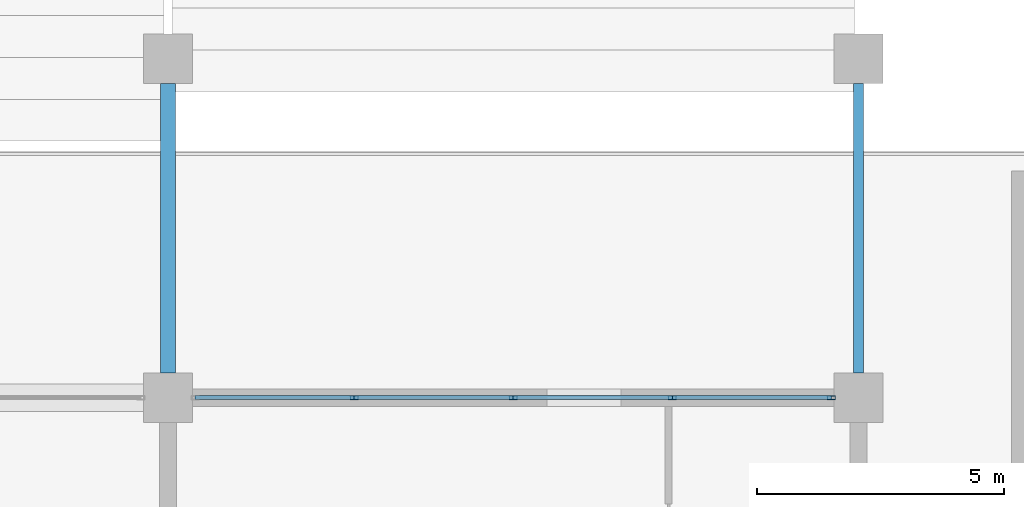
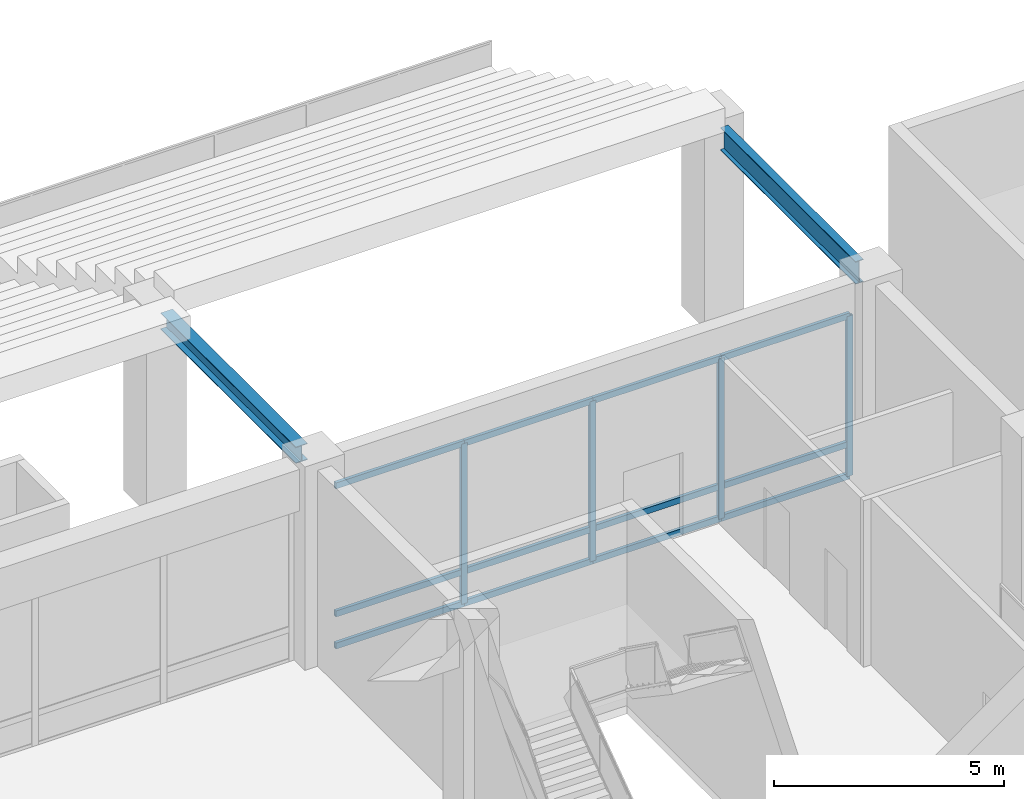
# One storey, part 37 of 117: 16 members, 2 beams, 1 element without a shape of its own.
"""IFC4 building model written with IfcOpenShell, lengths in metres."""

from ifc_helpers import new_model, si_unit, direction, frame, origin, origin_2d, place, context, subcontext, project, spatial, hollow_rectangle, i_section, extrude, material, material_profile, profile_set, type_object, element, aggregate, save


model = new_model("IFC4")

# Units and contexts
model_context = context("Model", 3, precision=1e-05, world=origin(), true_north=direction((0.0, 1.0)))
body_context = subcontext(model_context, "Body", "Model", "MODEL_VIEW")
ifc_project = project(units=[si_unit("LENGTHUNIT", "METRE"), si_unit("AREAUNIT", "SQUARE_METRE"), si_unit("VOLUMEUNIT", "CUBIC_METRE"), si_unit("PLANEANGLEUNIT", "RADIAN"), si_unit("MASSUNIT", "GRAM", prefix="KILO")], contexts=[model_context])

# Site, building, storey
site_placement = place(None, origin())
site = spatial("IfcSite", under=ifc_project, at=site_placement, CompositionType="ELEMENT")
building_placement = place(site_placement, origin())
building = spatial("IfcBuilding", under=site, at=building_placement, Name="Linyun Crest Stadium", CompositionType="ELEMENT")
storey_placement = place(building_placement, frame((0.0, 0.0, 6.0)))
storey = spatial("IfcBuildingStorey", under=building, at=storey_placement, Name="L02", CompositionType="ELEMENT", Elevation=6.0)

# Beams
ifc_material_1 = material(Name="Steel Q355C", Category="steel")
ifc_material_profile_1 = material_profile(ifc_material_1, i_section(OverallWidth=0.300048828125, OverallDepth=0.43994140625, WebThickness=0.010986328125, FlangeThickness=0.01806640625, at=origin_2d()), Name="HM 440x300")
ifc_profile_set_1 = profile_set([ifc_material_profile_1], Name="Steel Q355C")
beam_type_1 = type_object("IfcBeamType", Name="B07", PredefinedType="BEAM", material=ifc_profile_set_1)
beam_1_placement = place(storey_placement, frame((14.0, -73.0, 4.97998046875), z_axis=(0.0, 1.0, 0.0), x_axis=(-1.0, 0.0, 0.0)))
element("IfcBeam", 1, at=beam_1_placement, inside=storey, type_object=beam_type_1, Name="Frame beam B07 L02 920", PredefinedType="BEAM", context=body_context, shape_type="SweptSolid", body=[
    extrude(i_section(OverallWidth=0.300048828125, OverallDepth=0.43994140625, WebThickness=0.010986328125, FlangeThickness=0.01806640625, at=origin_2d()), origin(), (0.0, 0.0, 1.0), 5.875),
])
ifc_material_2 = material(Name="Steel Q355C", Category="steel")
ifc_material_profile_2 = material_profile(ifc_material_2, i_section(OverallWidth=0.199951171875, OverallDepth=0.60009765625, WebThickness=0.010986328125, FlangeThickness=0.01708984375, at=origin_2d()), Name="HN 600x200")
ifc_profile_set_2 = profile_set([ifc_material_profile_2], Name="Steel Q355C")
beam_type_2 = type_object("IfcBeamType", Name="B11", PredefinedType="BEAM", material=ifc_profile_set_2)
beam_2_placement = place(storey_placement, frame((28.0, -73.0, 4.89990234375), z_axis=(0.0, 1.0, 0.0), x_axis=(-1.0, 0.0, 0.0)))
element("IfcBeam", 2, at=beam_2_placement, inside=storey, type_object=beam_type_2, Name="Frame beam B11 L02 922", PredefinedType="BEAM", context=body_context, shape_type="SweptSolid", body=[
    extrude(i_section(OverallWidth=0.199951171875, OverallDepth=0.60009765625, WebThickness=0.010986328125, FlangeThickness=0.01708984375, at=origin_2d()), origin(), (0.0, 0.0, 1.0), 5.875),
])

# Curtain wall, members
ifc_material_3 = material(Name="Verdigris steel and low-E curtain wall assembly", Category="steel")
curtain_wall_type = type_object("IfcCurtainWallType", Name="MCW03", PredefinedType="NOTDEFINED", material=ifc_material_3)
curtain_wall_placement = place(storey_placement, origin())
curtain_wall = element("IfcCurtainWall", 3, at=curtain_wall_placement, inside=storey, type_object=curtain_wall_type, Name="CWR-152", PredefinedType="NOTDEFINED")
ifc_material_4 = material(Name="Aluminium thermally broken mullion", Category="aluminium")
ifc_material_profile_3 = material_profile(ifc_material_4, hollow_rectangle(XDim=0.080078125, YDim=0.159912109375, WallThickness=0.006103515625, at=origin_2d()), Name="RHS 160x80x6")
ifc_profile_set_3 = profile_set([ifc_material_profile_3], Name="Aluminium thermally broken mullion")
member_type_1 = type_object("IfcMemberType", Name="ML01", PredefinedType="MULLION", material=ifc_profile_set_3)
member_1_placement = place(storey_placement, frame((17.77490234375, -73.5, 0.0), z_axis=(0.0, 0.0, 1.0), x_axis=(0.0, 1.0, 0.0)))
member_1 = element("IfcMember", 4, at=member_1_placement, type_object=member_type_1, Name="CWR-152 mullion 2", PredefinedType="MULLION", context=body_context, shape_type="SweptSolid", body=[
    extrude(hollow_rectangle(XDim=0.080078125, YDim=0.159912109375, WallThickness=0.006103515625, at=origin_2d()), origin(), (0.0, 0.0, 1.0), 4.25),
])
member_2_placement = place(storey_placement, frame((21.0, -73.5, 0.0), z_axis=(0.0, 0.0, 1.0), x_axis=(0.0, 1.0, 0.0)))
member_2 = element("IfcMember", 5, at=member_2_placement, type_object=member_type_1, Name="CWR-152 mullion 3", PredefinedType="MULLION", context=body_context, shape_type="SweptSolid", body=[
    extrude(hollow_rectangle(XDim=0.080078125, YDim=0.159912109375, WallThickness=0.006103515625, at=origin_2d()), origin(), (0.0, 0.0, 1.0), 4.25),
])
member_3_placement = place(storey_placement, frame((24.22509765625, -73.5, 0.0), z_axis=(0.0, 0.0, 1.0), x_axis=(0.0, 1.0, 0.0)))
member_3 = element("IfcMember", 6, at=member_3_placement, type_object=member_type_1, Name="CWR-152 mullion 4", PredefinedType="MULLION", context=body_context, shape_type="SweptSolid", body=[
    extrude(hollow_rectangle(XDim=0.080078125, YDim=0.159912109375, WallThickness=0.006103515625, at=origin_2d()), origin(), (0.0, 0.0, 1.0), 4.25),
])
member_4_placement = place(storey_placement, frame((27.449951171875, -73.5, 0.0), z_axis=(0.0, 0.0, 1.0), x_axis=(0.0, 1.0, 0.0)))
member_4 = element("IfcMember", 7, at=member_4_placement, type_object=member_type_1, Name="CWR-152 mullion 5", PredefinedType="MULLION", context=body_context, shape_type="SweptSolid", body=[
    extrude(hollow_rectangle(XDim=0.080078125, YDim=0.159912109375, WallThickness=0.006103515625, at=origin_2d()), origin(), (0.0, 0.0, 1.0), 4.25),
])
ifc_material_5 = material(Name="Aluminium thermally broken transom", Category="aluminium")
ifc_material_profile_4 = material_profile(ifc_material_5, hollow_rectangle(XDim=0.080078125, YDim=0.159912109375, WallThickness=0.006103515625, at=origin_2d()), Name="RHS 160x80x6")
ifc_profile_set_4 = profile_set([ifc_material_profile_4], Name="Aluminium thermally broken transom")
member_type_2 = type_object("IfcMemberType", Name="TR01", PredefinedType="USERDEFINED", material=ifc_profile_set_4)
member_5_placement = place(storey_placement, frame((14.550048828125, -73.5, 0.0), z_axis=(1.0, 0.0, 0.0), x_axis=(0.0, 1.0, 0.0)))
member_5 = element("IfcMember", 8, at=member_5_placement, type_object=member_type_2, Name="CWR-152 transom 1.1", ObjectType="TRANSOM", PredefinedType="USERDEFINED", context=body_context, shape_type="SweptSolid", body=[
    extrude(hollow_rectangle(XDim=0.080078125, YDim=0.159912109375, WallThickness=0.006103515625, at=origin_2d()), origin(), (0.0, 0.0, 1.0), 3.224853515625),
])
member_6_placement = place(storey_placement, frame((14.550048828125, -73.5, 0.85009765625), z_axis=(1.0, 0.0, 0.0), x_axis=(0.0, 1.0, 0.0)))
member_6 = element("IfcMember", 9, at=member_6_placement, type_object=member_type_2, Name="CWR-152 transom 1.2", ObjectType="TRANSOM", PredefinedType="USERDEFINED", context=body_context, shape_type="SweptSolid", body=[
    extrude(hollow_rectangle(XDim=0.080078125, YDim=0.159912109375, WallThickness=0.006103515625, at=origin_2d()), origin(), (0.0, 0.0, 1.0), 3.224853515625),
])
member_7_placement = place(storey_placement, frame((14.550048828125, -73.5, 4.25), z_axis=(1.0, 0.0, 0.0), x_axis=(0.0, 1.0, 0.0)))
member_7 = element("IfcMember", 10, at=member_7_placement, type_object=member_type_2, Name="CWR-152 transom 1.3", ObjectType="TRANSOM", PredefinedType="USERDEFINED", context=body_context, shape_type="SweptSolid", body=[
    extrude(hollow_rectangle(XDim=0.080078125, YDim=0.159912109375, WallThickness=0.006103515625, at=origin_2d()), origin(), (0.0, 0.0, 1.0), 3.224853515625),
])
member_8_placement = place(storey_placement, frame((17.77490234375, -73.5, 0.0), z_axis=(1.0, 0.0, 0.0), x_axis=(0.0, 1.0, 0.0)))
member_8 = element("IfcMember", 11, at=member_8_placement, type_object=member_type_2, Name="CWR-152 transom 2.1", ObjectType="TRANSOM", PredefinedType="USERDEFINED", context=body_context, shape_type="SweptSolid", body=[
    extrude(hollow_rectangle(XDim=0.080078125, YDim=0.159912109375, WallThickness=0.006103515625, at=origin_2d()), origin(), (0.0, 0.0, 1.0), 3.22509765625),
])
member_9_placement = place(storey_placement, frame((17.77490234375, -73.5, 0.85009765625), z_axis=(1.0, 0.0, 0.0), x_axis=(0.0, 1.0, 0.0)))
member_9 = element("IfcMember", 12, at=member_9_placement, type_object=member_type_2, Name="CWR-152 transom 2.2", ObjectType="TRANSOM", PredefinedType="USERDEFINED", context=body_context, shape_type="SweptSolid", body=[
    extrude(hollow_rectangle(XDim=0.080078125, YDim=0.159912109375, WallThickness=0.006103515625, at=origin_2d()), origin(), (0.0, 0.0, 1.0), 3.22509765625),
])
member_10_placement = place(storey_placement, frame((17.77490234375, -73.5, 4.25), z_axis=(1.0, 0.0, 0.0), x_axis=(0.0, 1.0, 0.0)))
member_10 = element("IfcMember", 13, at=member_10_placement, type_object=member_type_2, Name="CWR-152 transom 2.3", ObjectType="TRANSOM", PredefinedType="USERDEFINED", context=body_context, shape_type="SweptSolid", body=[
    extrude(hollow_rectangle(XDim=0.080078125, YDim=0.159912109375, WallThickness=0.006103515625, at=origin_2d()), origin(), (0.0, 0.0, 1.0), 3.22509765625),
])
member_11_placement = place(storey_placement, frame((21.0, -73.5, 0.0), z_axis=(1.0, 0.0, 0.0), x_axis=(0.0, 1.0, 0.0)))
member_11 = element("IfcMember", 14, at=member_11_placement, type_object=member_type_2, Name="CWR-152 transom 3.1", ObjectType="TRANSOM", PredefinedType="USERDEFINED", context=body_context, shape_type="SweptSolid", body=[
    extrude(hollow_rectangle(XDim=0.080078125, YDim=0.159912109375, WallThickness=0.006103515625, at=origin_2d()), origin(), (0.0, 0.0, 1.0), 3.22509765625),
])
member_12_placement = place(storey_placement, frame((21.0, -73.5, 0.85009765625), z_axis=(1.0, 0.0, 0.0), x_axis=(0.0, 1.0, 0.0)))
member_12 = element("IfcMember", 15, at=member_12_placement, type_object=member_type_2, Name="CWR-152 transom 3.2", ObjectType="TRANSOM", PredefinedType="USERDEFINED", context=body_context, shape_type="SweptSolid", body=[
    extrude(hollow_rectangle(XDim=0.080078125, YDim=0.159912109375, WallThickness=0.006103515625, at=origin_2d()), origin(), (0.0, 0.0, 1.0), 3.22509765625),
])
member_13_placement = place(storey_placement, frame((21.0, -73.5, 4.25), z_axis=(1.0, 0.0, 0.0), x_axis=(0.0, 1.0, 0.0)))
member_13 = element("IfcMember", 16, at=member_13_placement, type_object=member_type_2, Name="CWR-152 transom 3.3", ObjectType="TRANSOM", PredefinedType="USERDEFINED", context=body_context, shape_type="SweptSolid", body=[
    extrude(hollow_rectangle(XDim=0.080078125, YDim=0.159912109375, WallThickness=0.006103515625, at=origin_2d()), origin(), (0.0, 0.0, 1.0), 3.22509765625),
])
member_14_placement = place(storey_placement, frame((24.22509765625, -73.5, 0.0), z_axis=(1.0, 0.0, 0.0), x_axis=(0.0, 1.0, 0.0)))
member_14 = element("IfcMember", 17, at=member_14_placement, type_object=member_type_2, Name="CWR-152 transom 4.1", ObjectType="TRANSOM", PredefinedType="USERDEFINED", context=body_context, shape_type="SweptSolid", body=[
    extrude(hollow_rectangle(XDim=0.080078125, YDim=0.159912109375, WallThickness=0.006103515625, at=origin_2d()), origin(), (0.0, 0.0, 1.0), 3.224853515625),
])
member_15_placement = place(storey_placement, frame((24.22509765625, -73.5, 0.85009765625), z_axis=(1.0, 0.0, 0.0), x_axis=(0.0, 1.0, 0.0)))
member_15 = element("IfcMember", 18, at=member_15_placement, type_object=member_type_2, Name="CWR-152 transom 4.2", ObjectType="TRANSOM", PredefinedType="USERDEFINED", context=body_context, shape_type="SweptSolid", body=[
    extrude(hollow_rectangle(XDim=0.080078125, YDim=0.159912109375, WallThickness=0.006103515625, at=origin_2d()), origin(), (0.0, 0.0, 1.0), 3.224853515625),
])
member_16_placement = place(storey_placement, frame((24.22509765625, -73.5, 4.25), z_axis=(1.0, 0.0, 0.0), x_axis=(0.0, 1.0, 0.0)))
member_16 = element("IfcMember", 19, at=member_16_placement, type_object=member_type_2, Name="CWR-152 transom 4.3", ObjectType="TRANSOM", PredefinedType="USERDEFINED", context=body_context, shape_type="SweptSolid", body=[
    extrude(hollow_rectangle(XDim=0.080078125, YDim=0.159912109375, WallThickness=0.006103515625, at=origin_2d()), origin(), (0.0, 0.0, 1.0), 3.224853515625),
])
aggregate(curtain_wall, [member_1, member_2, member_3, member_4, member_5, member_6, member_7, member_8, member_9, member_10, member_11, member_12, member_13, member_14, member_15, member_16])

save(model, "model.ifc")
